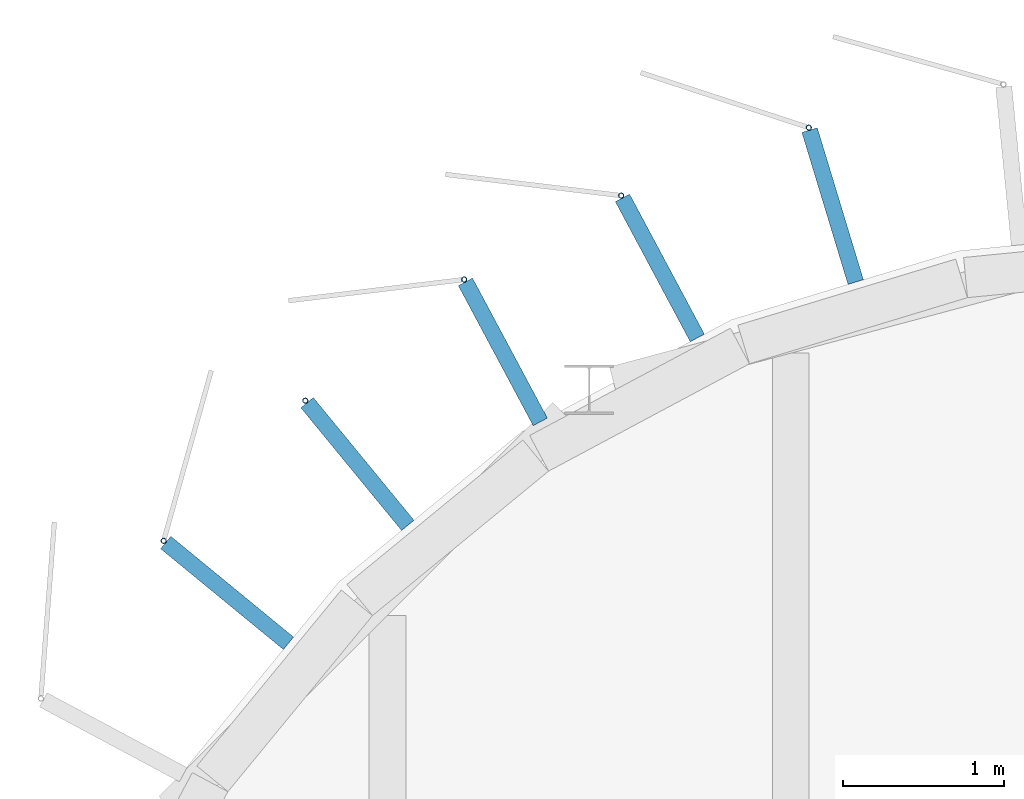
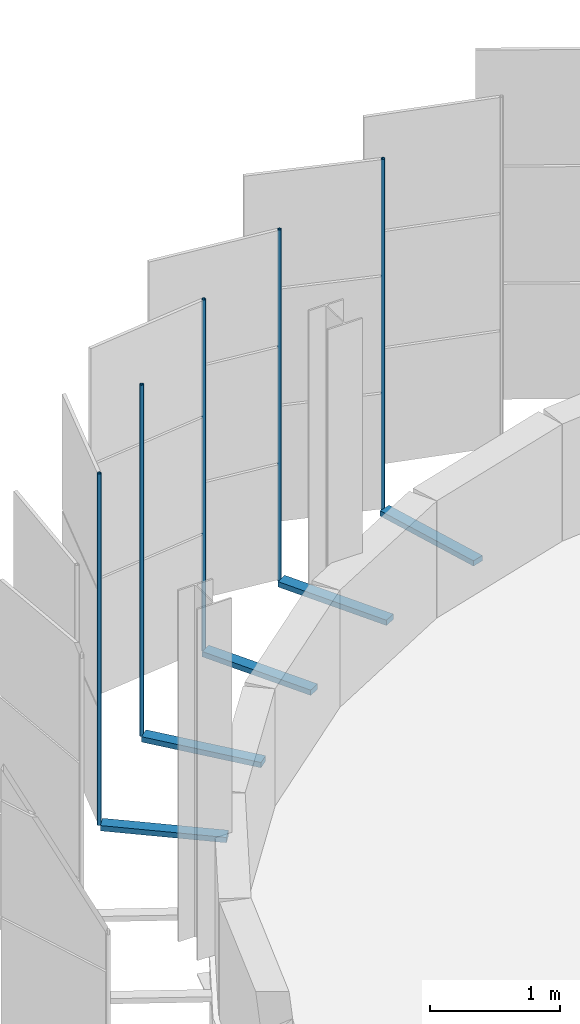
# One storey, part 146 of 214: 10 discrete accessories.
"""IFC4 building model written with IfcOpenShell, lengths in metres."""

from ifc_helpers import new_model, si_unit, direction, frame, origin, origin_2d, place, context, subcontext, project, spatial, rectangle, hollow_circle, extrude, material, material_profile, profile_set, type_object, element, save


model = new_model("IFC4")

# Units and contexts
model_context = context("Model", 3, precision=1e-05, world=origin(), true_north=direction((0.0, 1.0)))
body_context = subcontext(model_context, "Body", "Model", "MODEL_VIEW")
ifc_project = project(units=[si_unit("LENGTHUNIT", "METRE"), si_unit("AREAUNIT", "SQUARE_METRE"), si_unit("VOLUMEUNIT", "CUBIC_METRE"), si_unit("PLANEANGLEUNIT", "RADIAN"), si_unit("MASSUNIT", "GRAM", prefix="KILO")], contexts=[model_context])

# Site, building, storey
site_placement = place(None, origin())
site = spatial("IfcSite", under=ifc_project, at=site_placement, CompositionType="ELEMENT")
building_placement = place(site_placement, origin())
building = spatial("IfcBuilding", under=site, at=building_placement, Name="Parallax Yard Mobility Hub", CompositionType="ELEMENT")
storey_placement = place(building_placement, frame((0.0, 0.0, 3.300048828125)))
storey = spatial("IfcBuildingStorey", under=building, at=storey_placement, Name="L01", CompositionType="ELEMENT", Elevation=3.300048828125)

# Discrete accessories
ifc_material_1 = material(Name="Steel ASTM A36, hot-dip galvanised", Category="steel")
discrete_accessory_type_1 = type_object("IfcDiscreteAccessoryType", Name="Hinge bracket plate 100x50", PredefinedType="BRACKET", material=ifc_material_1)
for number, where, z_axis, x_axis, name in (
    (1, (27.75927734375, 142.6337890625, -0.02490234375), (0.0, 0.0, 1.0), (-0.290284677254, 0.956940335732, 0.0), "Hinge bracket plate bay 70.3 level L01"),
    (2, (26.6884765625, 142.25048828125, -0.02490234375), (0.0, 0.0, 1.0), (-0.471396736826, 0.881921264348, 0.0), "Hinge bracket plate bay 70.4 level L01"),
    (3, (25.715087890625, 141.730224609375, -0.02490234375), (0.0, 0.0, 1.0), (-0.471396736826, 0.881921264348, 0.0), "Hinge bracket plate bay 70.5 level L01"),
    (4, (24.813720703125, 141.03515625, -0.02490234375), (0.0, 0.0, 1.0), (-0.634393284164, 0.773010453363, 0.0), "Hinge bracket plate bay 70.6 level L01"),
    (5, (24.005859375, 140.236328125, -0.02490234375), (0.0, 0.0, 1.0), (-0.773010453363, 0.634393284164, 0.0), "Hinge bracket plate bay 70.7 level L01"),
):
    element("IfcDiscreteAccessory", number, at=place(storey_placement, frame(where, z_axis=z_axis, x_axis=x_axis)), inside=storey, type_object=discrete_accessory_type_1, Name=name, PredefinedType="BRACKET", context=body_context, shape_type="SweptSolid", body=[
        extrude(rectangle(XDim=0.984130859375, YDim=0.10009765625, at=origin_2d()), origin(), (0.0, 0.0, 1.0), 0.050048828125),
    ])
ifc_material_2 = material(Name="Steel ASTM A500 Gr C, hot-dip galvanised", Category="steel")
ifc_material_profile = material_profile(ifc_material_2, hollow_circle(Radius=0.016845703125, WallThickness=0.003173828125, at=origin_2d()), Name="CHS 33.7x3.2")
ifc_profile_set = profile_set([ifc_material_profile], Name="Steel ASTM A500 Gr C, hot-dip galvanised")
discrete_accessory_type_2 = type_object("IfcDiscreteAccessoryType", Name="Hinge post CHS 33.7x3.2", PredefinedType="BRACKET", material=ifc_profile_set)
for number, where, z_axis, x_axis, name in (
    (6, (27.611572265625, 143.1201171875, 0.0), (0.0, 0.0, 1.0), (1.0, 0.0, 0.0), "Hinge post bay 70.3 level L01"),
    (7, (26.44873046875, 142.698974609375, 0.0), (0.0, 0.0, 1.0), (1.0, 0.0, 0.0), "Hinge post bay 70.4 level L01"),
    (8, (25.4755859375, 142.1787109375, 0.0), (0.0, 0.0, 1.0), (1.0, 0.0, 0.0), "Hinge post bay 70.5 level L01"),
    (9, (24.490966796875, 141.427978515625, 0.0), (0.0, 0.0, 1.0), (1.0, 0.0, 0.0), "Hinge post bay 70.6 level L01"),
    (10, (23.61279296875, 140.55908203125, 0.0), (0.0, 0.0, 1.0), (1.0, 0.0, 0.0), "Hinge post bay 70.7 level L01"),
):
    element("IfcDiscreteAccessory", number, at=place(storey_placement, frame(where, z_axis=z_axis, x_axis=x_axis)), inside=storey, type_object=discrete_accessory_type_2, Name=name, PredefinedType="BRACKET", context=body_context, shape_type="SweptSolid", body=[
        extrude(hollow_circle(Radius=0.016845703125, WallThickness=0.003173828125, at=origin_2d()), origin(), (0.0, 0.0, 1.0), 3.300048828125),
    ])

save(model, "model.ifc")
